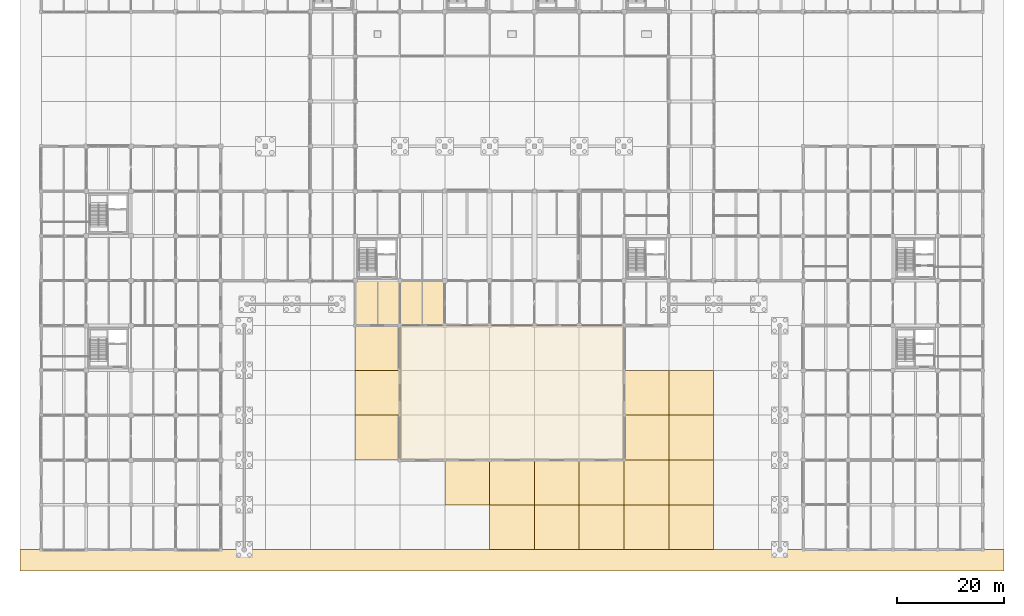
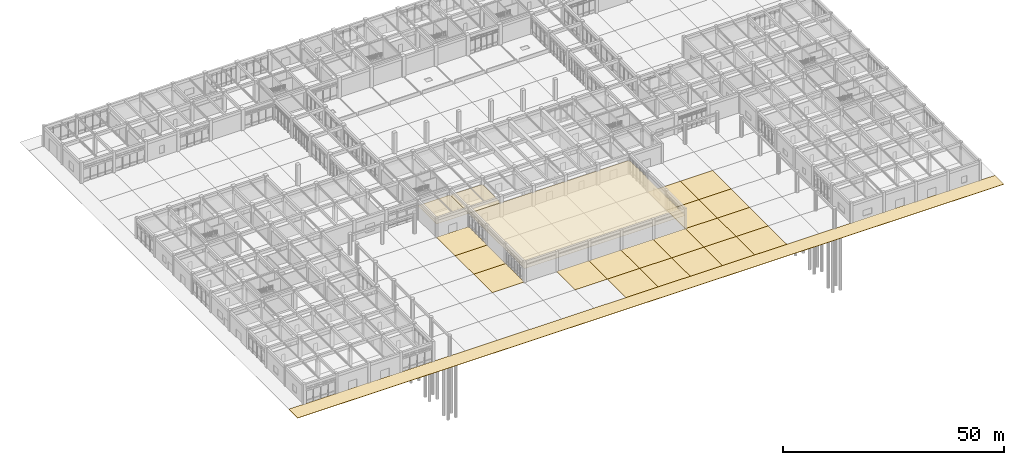
# One storey, part 86 of 91: 22 coverings.
"""IFC4 building model written with IfcOpenShell, lengths in metres."""

from ifc_helpers import new_model, si_unit, direction, frame, origin, place, context, subcontext, project, spatial, polyline, outline, extrude, material, layer, layer_set, type_object, element, save


model = new_model("IFC4")

# Units and contexts
model_context = context("Model", 3, precision=1e-05, world=origin(), true_north=direction((0.0, 1.0)))
body_context = subcontext(model_context, "Body", "Model", "MODEL_VIEW")
ifc_project = project(units=[si_unit("LENGTHUNIT", "METRE"), si_unit("AREAUNIT", "SQUARE_METRE"), si_unit("VOLUMEUNIT", "CUBIC_METRE"), si_unit("PLANEANGLEUNIT", "RADIAN"), si_unit("MASSUNIT", "GRAM", prefix="KILO")], contexts=[model_context])

# Site, building, storey
site_placement = place(None, origin())
site = spatial("IfcSite", under=ifc_project, at=site_placement, CompositionType="ELEMENT")
building_placement = place(site_placement, origin())
building = spatial("IfcBuilding", under=site, at=building_placement, Name="Porcellanite Civic Hall", CompositionType="ELEMENT")
storey_placement = place(building_placement, origin())
storey = spatial("IfcBuildingStorey", under=building, at=storey_placement, Name="L00", CompositionType="ELEMENT", Elevation=0.0)

# Coverings
ifc_material_1 = material(Name="Perforated acoustic mineral-fibre and spotted-gum batten ceiling")
ifc_layer_1 = layer(ifc_material_1, 0.034912109375)
ifc_layer_set_1 = layer_set([ifc_layer_1], Name="Perforated acoustic mineral-fibre and spotted-gum batten ceiling")
covering_type_1 = type_object("IfcCoveringType", Name="COV-CL2", PredefinedType="CEILING", material=ifc_layer_set_1)
covering_1_placement = place(storey_placement, frame((0.0, 0.0, 3.625)))
element("IfcCovering", 1, at=covering_1_placement, inside=storey, type_object=covering_type_1, Name="Acoustic ceiling Public Hall", PredefinedType="CEILING", context=body_context, shape_type="SweptSolid", body=[
    extrude(outline(polyline([(67.2099609375, 16.81005859375), (109.18994140625, 16.81005859375), (109.18994140625, 41.989990234375), (67.2099609375, 41.989990234375), (67.2099609375, 16.81005859375)])), origin(), (0.0, 0.0, 1.0), 0.034912109375),
])
ifc_material_2 = material(Name="Perforated acoustic mineral-fibre and spotted-gum batten ceiling")
ifc_layer_2 = layer(ifc_material_2, 0.044921875)
ifc_layer_set_2 = layer_set([ifc_layer_2], Name="Perforated acoustic mineral-fibre and spotted-gum batten ceiling")
covering_type_2 = type_object("IfcCoveringType", Name="COV-CL3", PredefinedType="CEILING", material=ifc_layer_set_2)
covering_2_placement = place(storey_placement, frame((0.0, 0.0, 3.614990234375)))
element("IfcCovering", 2, at=covering_2_placement, inside=storey, type_object=covering_type_2, Name="Acoustic ceiling Civic Outreach Office L00-42", PredefinedType="CEILING", context=body_context, shape_type="SweptSolid", body=[
    extrude(outline(polyline([(58.81005859375, 42.010009765625), (67.18994140625, 42.010009765625), (67.18994140625, 50.389892578125), (58.81005859375, 50.389892578125), (58.81005859375, 42.010009765625)])), origin(), (0.0, 0.0, 1.0), 0.044921875),
])
covering_3_placement = place(storey_placement, frame((0.0, 0.0, 3.614990234375)))
element("IfcCovering", 3, at=covering_3_placement, inside=storey, type_object=covering_type_2, Name="Acoustic ceiling Rates and Permits Counter L00-46", PredefinedType="CEILING", context=body_context, shape_type="SweptSolid", body=[
    extrude(outline(polyline([(67.2099609375, 42.010009765625), (75.590087890625, 42.010009765625), (75.590087890625, 50.389892578125), (67.2099609375, 50.389892578125), (67.2099609375, 42.010009765625)])), origin(), (0.0, 0.0, 1.0), 0.044921875),
])
ifc_material_3 = material(Name="Darwin porcellanite stone paving", Category="masonry")
ifc_layer_3 = layer(ifc_material_3, 0.10009765625)
ifc_layer_set_3 = layer_set([ifc_layer_3], Name="Darwin porcellanite stone paving")
covering_type_3 = type_object("IfcCoveringType", Name="COV-PAV100", PredefinedType="USERDEFINED", material=ifc_layer_set_3)
covering_4_placement = place(storey_placement, frame((0.0, 0.0, -0.10009765625)))
element("IfcCovering", 4, at=covering_4_placement, inside=storey, type_object=covering_type_3, Name="Porcellanite Square paving 8-3", ObjectType="PAVING", PredefinedType="USERDEFINED", context=body_context, shape_type="SweptSolid", body=[
    extrude(outline(polyline([(58.800048828125, 16.800048828125), (67.199951171875, 16.800048828125), (67.199951171875, 25.199951171875), (58.800048828125, 25.199951171875), (58.800048828125, 16.800048828125)])), origin(), (0.0, 0.0, 1.0), 0.10009765625),
])
covering_5_placement = place(storey_placement, frame((0.0, 0.0, -0.10009765625)))
element("IfcCovering", 5, at=covering_5_placement, inside=storey, type_object=covering_type_3, Name="Porcellanite Square paving 8-4", ObjectType="PAVING", PredefinedType="USERDEFINED", context=body_context, shape_type="SweptSolid", body=[
    extrude(outline(polyline([(58.800048828125, 25.199951171875), (67.199951171875, 25.199951171875), (67.199951171875, 33.60009765625), (58.800048828125, 33.60009765625), (58.800048828125, 25.199951171875)])), origin(), (0.0, 0.0, 1.0), 0.10009765625),
])
covering_6_placement = place(storey_placement, frame((0.0, 0.0, -0.10009765625)))
element("IfcCovering", 6, at=covering_6_placement, inside=storey, type_object=covering_type_3, Name="Porcellanite Square paving 8-5", ObjectType="PAVING", PredefinedType="USERDEFINED", context=body_context, shape_type="SweptSolid", body=[
    extrude(outline(polyline([(58.800048828125, 33.60009765625), (67.199951171875, 33.60009765625), (67.199951171875, 42.0), (58.800048828125, 42.0), (58.800048828125, 33.60009765625)])), origin(), (0.0, 0.0, 1.0), 0.10009765625),
])
covering_7_placement = place(storey_placement, frame((0.0, 0.0, -0.10009765625)))
element("IfcCovering", 7, at=covering_7_placement, inside=storey, type_object=covering_type_3, Name="Porcellanite Square paving 10-2", ObjectType="PAVING", PredefinedType="USERDEFINED", context=body_context, shape_type="SweptSolid", body=[
    extrude(outline(polyline([(75.60009765625, 8.39990234375), (84.0, 8.39990234375), (84.0, 16.800048828125), (75.60009765625, 16.800048828125), (75.60009765625, 8.39990234375)])), origin(), (0.0, 0.0, 1.0), 0.10009765625),
])
covering_8_placement = place(storey_placement, frame((0.0, 0.0, -0.10009765625)))
element("IfcCovering", 8, at=covering_8_placement, inside=storey, type_object=covering_type_3, Name="Porcellanite Square paving 11-1", ObjectType="PAVING", PredefinedType="USERDEFINED", context=body_context, shape_type="SweptSolid", body=[
    extrude(outline(polyline([(84.0, 0.0), (92.39990234375, 0.0), (92.39990234375, 8.39990234375), (84.0, 8.39990234375), (84.0, 0.0)])), origin(), (0.0, 0.0, 1.0), 0.10009765625),
])
covering_9_placement = place(storey_placement, frame((0.0, 0.0, -0.10009765625)))
element("IfcCovering", 9, at=covering_9_placement, inside=storey, type_object=covering_type_3, Name="Porcellanite Square paving 11-2", ObjectType="PAVING", PredefinedType="USERDEFINED", context=body_context, shape_type="SweptSolid", body=[
    extrude(outline(polyline([(84.0, 8.39990234375), (92.39990234375, 8.39990234375), (92.39990234375, 16.800048828125), (84.0, 16.800048828125), (84.0, 8.39990234375)])), origin(), (0.0, 0.0, 1.0), 0.10009765625),
])
covering_10_placement = place(storey_placement, frame((0.0, 0.0, -0.10009765625)))
element("IfcCovering", 10, at=covering_10_placement, inside=storey, type_object=covering_type_3, Name="Porcellanite Square paving 12-1", ObjectType="PAVING", PredefinedType="USERDEFINED", context=body_context, shape_type="SweptSolid", body=[
    extrude(outline(polyline([(92.39990234375, 0.0), (100.800048828125, 0.0), (100.800048828125, 8.39990234375), (92.39990234375, 8.39990234375), (92.39990234375, 0.0)])), origin(), (0.0, 0.0, 1.0), 0.10009765625),
])
covering_11_placement = place(storey_placement, frame((0.0, 0.0, -0.10009765625)))
element("IfcCovering", 11, at=covering_11_placement, inside=storey, type_object=covering_type_3, Name="Porcellanite Square paving 12-2", ObjectType="PAVING", PredefinedType="USERDEFINED", context=body_context, shape_type="SweptSolid", body=[
    extrude(outline(polyline([(92.39990234375, 8.39990234375), (100.800048828125, 8.39990234375), (100.800048828125, 16.800048828125), (92.39990234375, 16.800048828125), (92.39990234375, 8.39990234375)])), origin(), (0.0, 0.0, 1.0), 0.10009765625),
])
covering_12_placement = place(storey_placement, frame((0.0, 0.0, -0.10009765625)))
element("IfcCovering", 12, at=covering_12_placement, inside=storey, type_object=covering_type_3, Name="Porcellanite Square paving 13-1", ObjectType="PAVING", PredefinedType="USERDEFINED", context=body_context, shape_type="SweptSolid", body=[
    extrude(outline(polyline([(100.800048828125, 0.0), (109.199951171875, 0.0), (109.199951171875, 8.39990234375), (100.800048828125, 8.39990234375), (100.800048828125, 0.0)])), origin(), (0.0, 0.0, 1.0), 0.10009765625),
])
covering_13_placement = place(storey_placement, frame((0.0, 0.0, -0.10009765625)))
element("IfcCovering", 13, at=covering_13_placement, inside=storey, type_object=covering_type_3, Name="Porcellanite Square paving 13-2", ObjectType="PAVING", PredefinedType="USERDEFINED", context=body_context, shape_type="SweptSolid", body=[
    extrude(outline(polyline([(100.800048828125, 8.39990234375), (109.199951171875, 8.39990234375), (109.199951171875, 16.800048828125), (100.800048828125, 16.800048828125), (100.800048828125, 8.39990234375)])), origin(), (0.0, 0.0, 1.0), 0.10009765625),
])
covering_14_placement = place(storey_placement, frame((0.0, 0.0, -0.10009765625)))
element("IfcCovering", 14, at=covering_14_placement, inside=storey, type_object=covering_type_3, Name="Porcellanite Square paving 14-1", ObjectType="PAVING", PredefinedType="USERDEFINED", context=body_context, shape_type="SweptSolid", body=[
    extrude(outline(polyline([(109.199951171875, 0.0), (117.60009765625, 0.0), (117.60009765625, 8.39990234375), (109.199951171875, 8.39990234375), (109.199951171875, 0.0)])), origin(), (0.0, 0.0, 1.0), 0.10009765625),
])
covering_15_placement = place(storey_placement, frame((0.0, 0.0, -0.10009765625)))
element("IfcCovering", 15, at=covering_15_placement, inside=storey, type_object=covering_type_3, Name="Porcellanite Square paving 14-2", ObjectType="PAVING", PredefinedType="USERDEFINED", context=body_context, shape_type="SweptSolid", body=[
    extrude(outline(polyline([(109.199951171875, 8.39990234375), (117.60009765625, 8.39990234375), (117.60009765625, 16.800048828125), (109.199951171875, 16.800048828125), (109.199951171875, 8.39990234375)])), origin(), (0.0, 0.0, 1.0), 0.10009765625),
])
covering_16_placement = place(storey_placement, frame((0.0, 0.0, -0.10009765625)))
element("IfcCovering", 16, at=covering_16_placement, inside=storey, type_object=covering_type_3, Name="Porcellanite Square paving 14-3", ObjectType="PAVING", PredefinedType="USERDEFINED", context=body_context, shape_type="SweptSolid", body=[
    extrude(outline(polyline([(109.199951171875, 16.800048828125), (117.60009765625, 16.800048828125), (117.60009765625, 25.199951171875), (109.199951171875, 25.199951171875), (109.199951171875, 16.800048828125)])), origin(), (0.0, 0.0, 1.0), 0.10009765625),
])
covering_17_placement = place(storey_placement, frame((0.0, 0.0, -0.10009765625)))
element("IfcCovering", 17, at=covering_17_placement, inside=storey, type_object=covering_type_3, Name="Porcellanite Square paving 14-4", ObjectType="PAVING", PredefinedType="USERDEFINED", context=body_context, shape_type="SweptSolid", body=[
    extrude(outline(polyline([(109.199951171875, 25.199951171875), (117.60009765625, 25.199951171875), (117.60009765625, 33.60009765625), (109.199951171875, 33.60009765625), (109.199951171875, 25.199951171875)])), origin(), (0.0, 0.0, 1.0), 0.10009765625),
])
covering_18_placement = place(storey_placement, frame((0.0, 0.0, -0.10009765625)))
element("IfcCovering", 18, at=covering_18_placement, inside=storey, type_object=covering_type_3, Name="Porcellanite Square paving 15-1", ObjectType="PAVING", PredefinedType="USERDEFINED", context=body_context, shape_type="SweptSolid", body=[
    extrude(outline(polyline([(117.60009765625, 0.0), (126.0, 0.0), (126.0, 8.39990234375), (117.60009765625, 8.39990234375), (117.60009765625, 0.0)])), origin(), (0.0, 0.0, 1.0), 0.10009765625),
])
covering_19_placement = place(storey_placement, frame((0.0, 0.0, -0.10009765625)))
element("IfcCovering", 19, at=covering_19_placement, inside=storey, type_object=covering_type_3, Name="Porcellanite Square paving 15-2", ObjectType="PAVING", PredefinedType="USERDEFINED", context=body_context, shape_type="SweptSolid", body=[
    extrude(outline(polyline([(117.60009765625, 8.39990234375), (126.0, 8.39990234375), (126.0, 16.800048828125), (117.60009765625, 16.800048828125), (117.60009765625, 8.39990234375)])), origin(), (0.0, 0.0, 1.0), 0.10009765625),
])
covering_20_placement = place(storey_placement, frame((0.0, 0.0, -0.10009765625)))
element("IfcCovering", 20, at=covering_20_placement, inside=storey, type_object=covering_type_3, Name="Porcellanite Square paving 15-3", ObjectType="PAVING", PredefinedType="USERDEFINED", context=body_context, shape_type="SweptSolid", body=[
    extrude(outline(polyline([(117.60009765625, 16.800048828125), (126.0, 16.800048828125), (126.0, 25.199951171875), (117.60009765625, 25.199951171875), (117.60009765625, 16.800048828125)])), origin(), (0.0, 0.0, 1.0), 0.10009765625),
])
covering_21_placement = place(storey_placement, frame((0.0, 0.0, -0.10009765625)))
element("IfcCovering", 21, at=covering_21_placement, inside=storey, type_object=covering_type_3, Name="Porcellanite Square paving 15-4", ObjectType="PAVING", PredefinedType="USERDEFINED", context=body_context, shape_type="SweptSolid", body=[
    extrude(outline(polyline([(117.60009765625, 25.199951171875), (126.0, 25.199951171875), (126.0, 33.60009765625), (117.60009765625, 33.60009765625), (117.60009765625, 25.199951171875)])), origin(), (0.0, 0.0, 1.0), 0.10009765625),
])
covering_22_placement = place(storey_placement, frame((0.0, 0.0, -0.10009765625)))
element("IfcCovering", 22, at=covering_22_placement, inside=storey, type_object=covering_type_3, Name="Perimeter civic promenade paving S", ObjectType="PAVING", PredefinedType="USERDEFINED", context=body_context, shape_type="SweptSolid", body=[
    extrude(outline(polyline([(-4.0, -4.0), (180.39990234375, -4.0), (180.39990234375, 0.0), (-4.0, 0.0), (-4.0, -4.0)])), origin(), (0.0, 0.0, 1.0), 0.10009765625),
])

save(model, "model.ifc")
